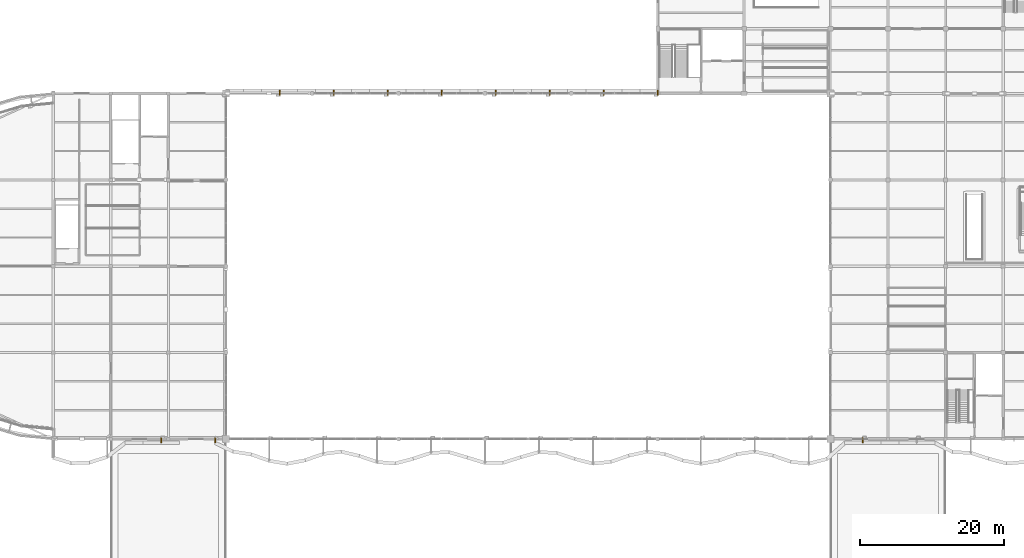
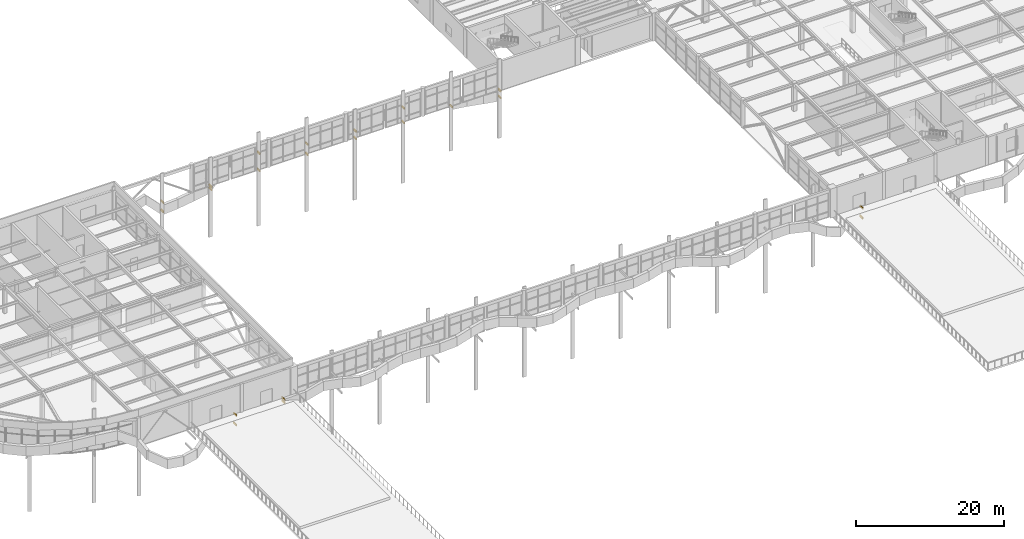
# One storey, part 62 of 63: 21 coverings.
"""IFC4 building model written with IfcOpenShell, lengths in metres."""

from ifc_helpers import new_model, si_unit, direction, frame, frame_2d, origin, place, context, subcontext, project, spatial, rectangle, extrude, material, layer, layer_set, type_object, element, save


model = new_model("IFC4")

# Units and contexts
model_context = context("Model", 3, precision=1e-05, world=origin(), true_north=direction((0.0, 1.0)))
body_context = subcontext(model_context, "Body", "Model", "MODEL_VIEW")
ifc_project = project(units=[si_unit("LENGTHUNIT", "METRE"), si_unit("AREAUNIT", "SQUARE_METRE"), si_unit("VOLUMEUNIT", "CUBIC_METRE"), si_unit("PLANEANGLEUNIT", "RADIAN"), si_unit("MASSUNIT", "GRAM", prefix="KILO")], contexts=[model_context])

# Site, building, storey
site_placement = place(None, origin())
site = spatial("IfcSite", under=ifc_project, at=site_placement, CompositionType="ELEMENT")
building_placement = place(site_placement, origin())
building = spatial("IfcBuilding", under=site, at=building_placement, Name="Keelwater Ferry Terminal", CompositionType="ELEMENT")
storey_placement = place(building_placement, frame((0.0, 0.0, 10.199951171875)))
storey = spatial("IfcBuildingStorey", under=building, at=storey_placement, Name="L02", CompositionType="ELEMENT", Elevation=10.199951171875)

# Coverings
ifc_material = material(Name="Matte white architectural aluminium fascia ribbon", Category="aluminium")
ifc_layer = layer(ifc_material, 0.1201171875)
ifc_layer_set = layer_set([ifc_layer], Name="Matte white architectural aluminium fascia ribbon")
covering_type = type_object("IfcCoveringType", Name="RB-WHT Matte White Fascia Ribbon", PredefinedType="CLADDING", material=ifc_layer_set)
covering_1_placement = place(storey_placement, frame((108.0, 90.419921875, -1.3818359375), z_axis=(0.0, 0.0, 1.0), x_axis=(0.0, -1.0, 0.0)))
element("IfcCovering", 1, at=covering_1_placement, inside=storey, type_object=covering_type, Name="Ribbon Horizontal Tie Bracket 7", PredefinedType="CLADDING", context=body_context, shape_type="SweptSolid", body=[
    extrude(rectangle(XDim=0.669921875, YDim=0.159912109375, at=frame_2d((0.3349609375, 0.0))), origin(), (0.0, 0.0, 1.0), 0.27978515625),
])
for number, where, z_axis, x_axis, name in (
    (2, (108.0, 90.419921875, -0.25), (0.0, 0.0, 1.0), (0.0, -1.0, 0.0), "Ribbon Slab Tie Bracket 9"),
    (3, (100.5, 90.419921875, -0.25), (0.0, 0.0, 1.0), (0.0, -1.0, 0.0), "Ribbon Slab Tie Bracket 28"),
):
    element("IfcCovering", number, at=place(storey_placement, frame(where, z_axis=z_axis, x_axis=x_axis)), inside=storey, type_object=covering_type, Name=name, PredefinedType="CLADDING", context=body_context, shape_type="SweptSolid", body=[
        extrude(rectangle(XDim=0.669921875, YDim=0.159912109375, at=frame_2d((0.3349609375, 0.0))), origin(), (0.0, 0.0, 1.0), 0.300048828125),
    ])
covering_2_placement = place(storey_placement, frame((93.0, 90.419921875, 2.14404296875), z_axis=(0.0, 0.0, 1.0), x_axis=(0.0, -1.0, 0.0)))
element("IfcCovering", 4, at=covering_2_placement, inside=storey, type_object=covering_type, Name="Ribbon Horizontal Tie Bracket 45", PredefinedType="CLADDING", context=body_context, shape_type="SweptSolid", body=[
    extrude(rectangle(XDim=0.669921875, YDim=0.159912109375, at=frame_2d((0.3349609375, 0.0))), origin(), (0.0, 0.0, 1.0), 0.280029296875),
])
covering_3_placement = place(storey_placement, frame((93.0, 90.419921875, -0.25), z_axis=(0.0, 0.0, 1.0), x_axis=(0.0, -1.0, 0.0)))
element("IfcCovering", 5, at=covering_3_placement, inside=storey, type_object=covering_type, Name="Ribbon Slab Tie Bracket 47", PredefinedType="CLADDING", context=body_context, shape_type="SweptSolid", body=[
    extrude(rectangle(XDim=0.669921875, YDim=0.159912109375, at=frame_2d((0.3349609375, 0.0))), origin(), (0.0, 0.0, 1.0), 0.300048828125),
])
covering_4_placement = place(storey_placement, frame((85.5, 90.419921875, 0.97802734375), z_axis=(0.0, 0.0, 1.0), x_axis=(0.0, -1.0, 0.0)))
element("IfcCovering", 6, at=covering_4_placement, inside=storey, type_object=covering_type, Name="Ribbon Horizontal Tie Bracket 64", PredefinedType="CLADDING", context=body_context, shape_type="SweptSolid", body=[
    extrude(rectangle(XDim=0.669921875, YDim=0.159912109375, at=frame_2d((0.3349609375, 0.0))), origin(), (0.0, 0.0, 1.0), 0.280029296875),
])
covering_5_placement = place(storey_placement, frame((85.5, 90.419921875, -0.25), z_axis=(0.0, 0.0, 1.0), x_axis=(0.0, -1.0, 0.0)))
element("IfcCovering", 7, at=covering_5_placement, inside=storey, type_object=covering_type, Name="Ribbon Slab Tie Bracket 67", PredefinedType="CLADDING", context=body_context, shape_type="SweptSolid", body=[
    extrude(rectangle(XDim=0.669921875, YDim=0.159912109375, at=frame_2d((0.3349609375, 0.0))), origin(), (0.0, 0.0, 1.0), 0.300048828125),
])
covering_6_placement = place(storey_placement, frame((78.0, 90.419921875, 1.47802734375), z_axis=(0.0, 0.0, 1.0), x_axis=(0.0, -1.0, 0.0)))
element("IfcCovering", 8, at=covering_6_placement, inside=storey, type_object=covering_type, Name="Ribbon Horizontal Tie Bracket 82", PredefinedType="CLADDING", context=body_context, shape_type="SweptSolid", body=[
    extrude(rectangle(XDim=0.669921875, YDim=0.159912109375, at=frame_2d((0.3349609375, 0.0))), origin(), (0.0, 0.0, 1.0), 0.280029296875),
])
covering_7_placement = place(storey_placement, frame((78.0, 90.419921875, -0.25), z_axis=(0.0, 0.0, 1.0), x_axis=(0.0, -1.0, 0.0)))
element("IfcCovering", 9, at=covering_7_placement, inside=storey, type_object=covering_type, Name="Ribbon Slab Tie Bracket 85", PredefinedType="CLADDING", context=body_context, shape_type="SweptSolid", body=[
    extrude(rectangle(XDim=0.669921875, YDim=0.159912109375, at=frame_2d((0.3349609375, 0.0))), origin(), (0.0, 0.0, 1.0), 0.300048828125),
])
covering_8_placement = place(storey_placement, frame((70.5, 90.419921875, 2.5791015625), z_axis=(0.0, 0.0, 1.0), x_axis=(0.0, -1.0, 0.0)))
element("IfcCovering", 10, at=covering_8_placement, inside=storey, type_object=covering_type, Name="Ribbon Horizontal Tie Bracket 101", PredefinedType="CLADDING", context=body_context, shape_type="SweptSolid", body=[
    extrude(rectangle(XDim=0.669921875, YDim=0.159912109375, at=frame_2d((0.3349609375, 0.0))), origin(), (0.0, 0.0, 1.0), 0.280029296875),
])
covering_9_placement = place(storey_placement, frame((70.5, 90.419921875, -0.25), z_axis=(0.0, 0.0, 1.0), x_axis=(0.0, -1.0, 0.0)))
element("IfcCovering", 11, at=covering_9_placement, inside=storey, type_object=covering_type, Name="Ribbon Slab Tie Bracket 104", PredefinedType="CLADDING", context=body_context, shape_type="SweptSolid", body=[
    extrude(rectangle(XDim=0.669921875, YDim=0.159912109375, at=frame_2d((0.3349609375, 0.0))), origin(), (0.0, 0.0, 1.0), 0.300048828125),
])
covering_10_placement = place(storey_placement, frame((63.0, 90.419921875, -0.72802734375), z_axis=(0.0, 0.0, 1.0), x_axis=(0.0, -1.0, 0.0)))
element("IfcCovering", 12, at=covering_10_placement, inside=storey, type_object=covering_type, Name="Ribbon Horizontal Tie Bracket 120", PredefinedType="CLADDING", context=body_context, shape_type="SweptSolid", body=[
    extrude(rectangle(XDim=0.669921875, YDim=0.159912109375, at=frame_2d((0.3349609375, 0.0))), origin(), (0.0, 0.0, 1.0), 0.280029296875),
])
covering_11_placement = place(storey_placement, frame((63.0, 90.419921875, -0.25), z_axis=(0.0, 0.0, 1.0), x_axis=(0.0, -1.0, 0.0)))
element("IfcCovering", 13, at=covering_11_placement, inside=storey, type_object=covering_type, Name="Ribbon Slab Tie Bracket 123", PredefinedType="CLADDING", context=body_context, shape_type="SweptSolid", body=[
    extrude(rectangle(XDim=0.669921875, YDim=0.159912109375, at=frame_2d((0.3349609375, 0.0))), origin(), (0.0, 0.0, 1.0), 0.300048828125),
])
covering_12_placement = place(storey_placement, frame((55.5, 90.419921875, -1.743896484375), z_axis=(0.0, 0.0, 1.0), x_axis=(0.0, -1.0, 0.0)))
element("IfcCovering", 14, at=covering_12_placement, inside=storey, type_object=covering_type, Name="Ribbon Horizontal Tie Bracket 140", PredefinedType="CLADDING", context=body_context, shape_type="SweptSolid", body=[
    extrude(rectangle(XDim=0.669921875, YDim=0.159912109375, at=frame_2d((0.3349609375, 0.0))), origin(), (0.0, 0.0, 1.0), 0.280029296875),
])
covering_13_placement = place(storey_placement, frame((55.5, 90.419921875, -0.25), z_axis=(0.0, 0.0, 1.0), x_axis=(0.0, -1.0, 0.0)))
element("IfcCovering", 15, at=covering_13_placement, inside=storey, type_object=covering_type, Name="Ribbon Slab Tie Bracket 143", PredefinedType="CLADDING", context=body_context, shape_type="SweptSolid", body=[
    extrude(rectangle(XDim=0.669921875, YDim=0.159912109375, at=frame_2d((0.3349609375, 0.0))), origin(), (0.0, 0.0, 1.0), 0.300048828125),
])
covering_14_placement = place(storey_placement, frame((39.0, 41.449951171875, -1.781982421875), z_axis=(0.0, 0.0, 1.0), x_axis=(0.0, 1.0, 0.0)))
element("IfcCovering", 16, at=covering_14_placement, inside=storey, type_object=covering_type, Name="Ribbon Horizontal Tie Bracket 343", PredefinedType="CLADDING", context=body_context, shape_type="SweptSolid", body=[
    extrude(rectangle(XDim=0.800048828125, YDim=0.159912109375, at=frame_2d((0.39990234375, 0.0))), origin(), (0.0, 0.0, 1.0), 0.280029296875),
])
covering_15_placement = place(storey_placement, frame((39.0, 41.449951171875, -0.25), z_axis=(0.0, 0.0, 1.0), x_axis=(0.0, 1.0, 0.0)))
element("IfcCovering", 17, at=covering_15_placement, inside=storey, type_object=covering_type, Name="Ribbon Slab Tie Bracket 344", PredefinedType="CLADDING", context=body_context, shape_type="SweptSolid", body=[
    extrude(rectangle(XDim=0.800048828125, YDim=0.159912109375, at=frame_2d((0.39990234375, 0.0))), origin(), (0.0, 0.0, 1.0), 0.300048828125),
])
covering_16_placement = place(storey_placement, frame((46.5, 41.449951171875, -0.704833984375), z_axis=(0.0, 0.0, 1.0), x_axis=(0.0, 1.0, 0.0)))
element("IfcCovering", 18, at=covering_16_placement, inside=storey, type_object=covering_type, Name="Ribbon Horizontal Tie Bracket 351", PredefinedType="CLADDING", context=body_context, shape_type="SweptSolid", body=[
    extrude(rectangle(XDim=0.800048828125, YDim=0.159912109375, at=frame_2d((0.39990234375, 0.0))), origin(), (0.0, 0.0, 1.0), 0.27978515625),
])
covering_17_placement = place(storey_placement, frame((46.5, 41.449951171875, -0.25), z_axis=(0.0, 0.0, 1.0), x_axis=(0.0, 1.0, 0.0)))
element("IfcCovering", 19, at=covering_17_placement, inside=storey, type_object=covering_type, Name="Ribbon Slab Tie Bracket 352", PredefinedType="CLADDING", context=body_context, shape_type="SweptSolid", body=[
    extrude(rectangle(XDim=0.800048828125, YDim=0.159912109375, at=frame_2d((0.39990234375, 0.0))), origin(), (0.0, 0.0, 1.0), 0.300048828125),
])
covering_18_placement = place(storey_placement, frame((136.5, 41.449951171875, -1.85595703125), z_axis=(0.0, 0.0, 1.0), x_axis=(0.0, 1.0, 0.0)))
element("IfcCovering", 20, at=covering_18_placement, inside=storey, type_object=covering_type, Name="Ribbon Horizontal Tie Bracket 560", PredefinedType="CLADDING", context=body_context, shape_type="SweptSolid", body=[
    extrude(rectangle(XDim=0.800048828125, YDim=0.159912109375, at=frame_2d((0.39990234375, 0.0))), origin(), (0.0, 0.0, 1.0), 0.280029296875),
])
covering_19_placement = place(storey_placement, frame((136.5, 41.449951171875, -0.25), z_axis=(0.0, 0.0, 1.0), x_axis=(0.0, 1.0, 0.0)))
element("IfcCovering", 21, at=covering_19_placement, inside=storey, type_object=covering_type, Name="Ribbon Slab Tie Bracket 562", PredefinedType="CLADDING", context=body_context, shape_type="SweptSolid", body=[
    extrude(rectangle(XDim=0.800048828125, YDim=0.159912109375, at=frame_2d((0.39990234375, 0.0))), origin(), (0.0, 0.0, 1.0), 0.300048828125),
])

save(model, "model.ifc")
